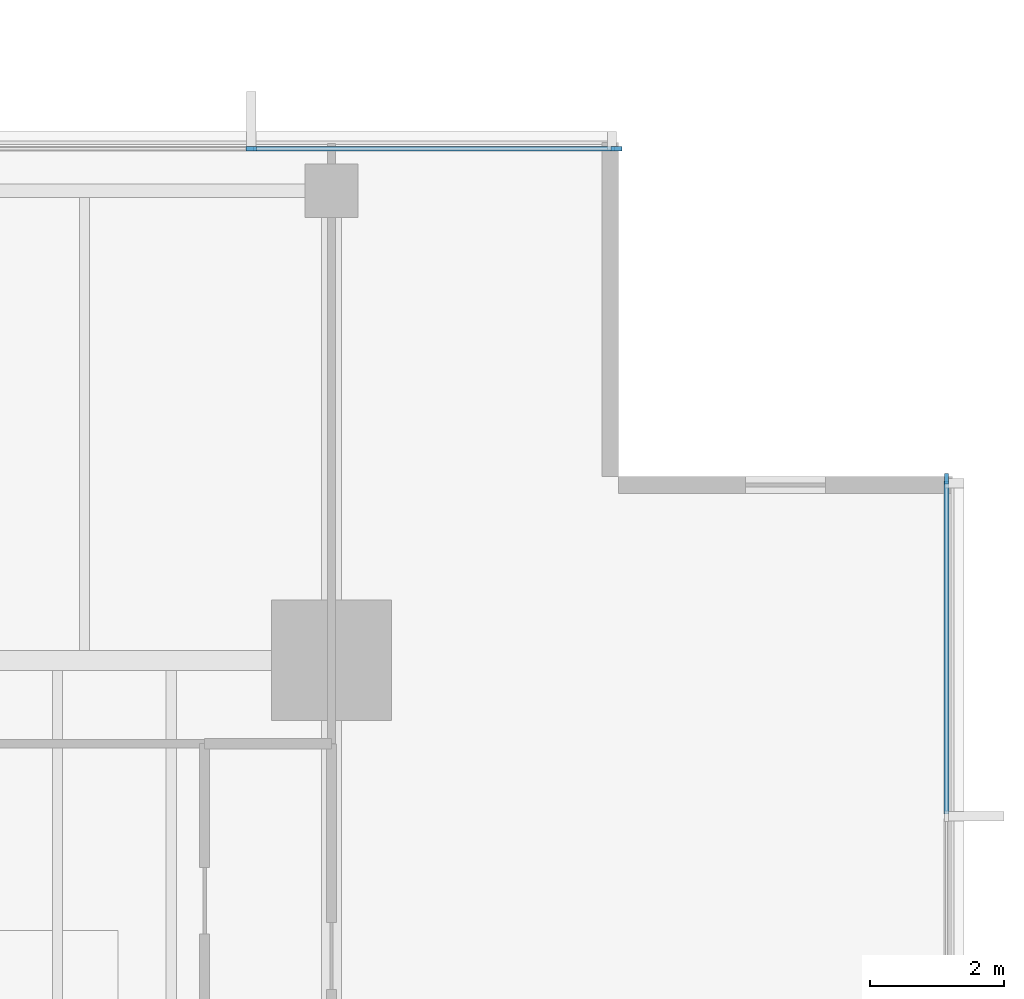
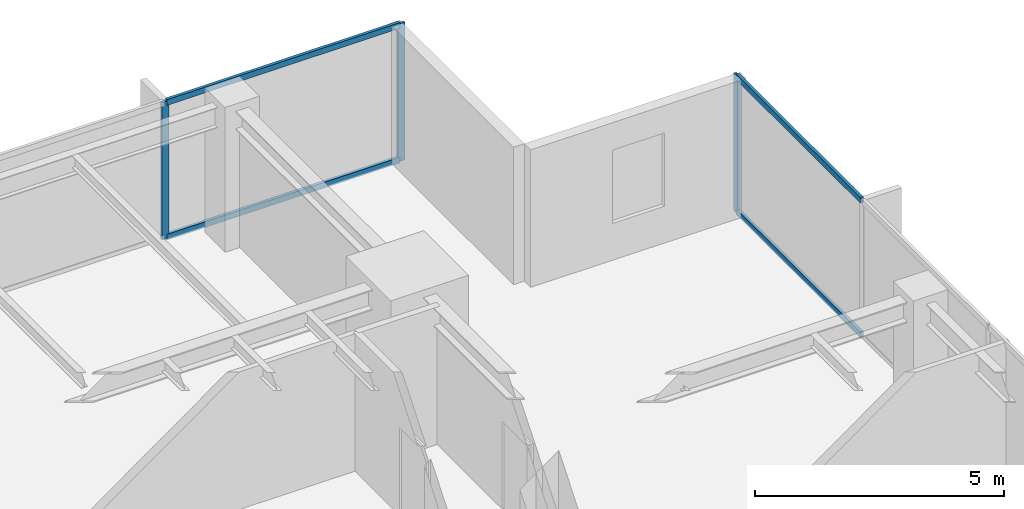
# One storey, part 6 of 14: 7 members, 2 elements without a shape of their own.
"""IFC4 building model written with IfcOpenShell, lengths in metres."""

from ifc_helpers import new_model, si_unit, direction, frame, origin, origin_2d, place, context, subcontext, project, spatial, rectangle, extrude, material, layer, layer_set, material_profile, profile_set, type_object, element, aggregate, save


model = new_model("IFC4")

# Units and contexts
model_context = context("Model", 3, precision=1e-05, world=origin(), true_north=direction((0.0, 1.0)))
body_context = subcontext(model_context, "Body", "Model", "MODEL_VIEW")
ifc_project = project(units=[si_unit("LENGTHUNIT", "METRE"), si_unit("AREAUNIT", "SQUARE_METRE"), si_unit("VOLUMEUNIT", "CUBIC_METRE"), si_unit("PLANEANGLEUNIT", "RADIAN"), si_unit("MASSUNIT", "GRAM", prefix="KILO")], contexts=[model_context])

# Site, building, storey
site_placement = place(None, origin())
site = spatial("IfcSite", under=ifc_project, at=site_placement, CompositionType="ELEMENT")
building_placement = place(site_placement, origin())
building = spatial("IfcBuilding", under=site, at=building_placement, Name="Kinhvarn Gate Tower", CompositionType="ELEMENT")
storey_placement = place(building_placement, frame((0.0, 0.0, 205.800048828125)))
storey = spatial("IfcBuildingStorey", under=building, at=storey_placement, Name="L54", CompositionType="ELEMENT", Elevation=205.800048828125)

# Curtain wall, members
ifc_material = material(Name="Anodised aluminium AW-6063", Category="aluminium")
ifc_layer = layer(ifc_material, 0.179931640625)
ifc_layer_set = layer_set([ifc_layer], Name="Anodised aluminium AW-6063")
curtain_wall_type = type_object("IfcCurtainWallType", Name="CW-SYS-3", PredefinedType="NOTDEFINED", material=ifc_layer_set)
curtain_wall_1_placement = place(storey_placement, origin())
curtain_wall_1 = element("IfcCurtainWall", 1, at=curtain_wall_1_placement, inside=storey, type_object=curtain_wall_type, Name="Curtain Wall CW3 (L54)", PredefinedType="NOTDEFINED")
ifc_material_profile_1 = material_profile(ifc_material, rectangle(XDim=0.06494140625, YDim=0.159912109375, at=origin_2d()), Name="ALU 65x160")
ifc_profile_set_1 = profile_set([ifc_material_profile_1], Name="Anodised aluminium AW-6063")
member_type_1 = type_object("IfcMemberType", Name="CW-MUL-160", PredefinedType="MULLION", material=ifc_profile_set_1)
member_1_placement = place(storey_placement, frame((42.467529296875, 45.409912109375, 0.0), z_axis=(0.0, 0.0, 1.0), x_axis=(0.0, -1.0, 0.0)))
member_1 = element("IfcMember", 2, at=member_1_placement, type_object=member_type_1, Name="CW3 mullion 1", PredefinedType="MULLION", context=body_context, shape_type="SweptSolid", body=[
    extrude(rectangle(XDim=0.06494140625, YDim=0.159912109375, at=origin_2d()), origin(), (0.0, 0.0, 1.0), 3.369873046875),
])
member_2_placement = place(storey_placement, frame((37.0, 45.409912109375, 0.0), z_axis=(0.0, 0.0, 1.0), x_axis=(0.0, -1.0, 0.0)))
member_2 = element("IfcMember", 3, at=member_2_placement, type_object=member_type_1, Name="CW3 mullion 2", PredefinedType="MULLION", context=body_context, shape_type="SweptSolid", body=[
    extrude(rectangle(XDim=0.06494140625, YDim=0.159912109375, at=origin_2d()), origin(), (0.0, 0.0, 1.0), 3.369873046875),
])

# Curtain wall, member
curtain_wall_2_placement = place(storey_placement, origin())
curtain_wall_2 = element("IfcCurtainWall", 4, at=curtain_wall_2_placement, inside=storey, type_object=curtain_wall_type, Name="Curtain Wall CW3 (L54)", PredefinedType="NOTDEFINED")
member_3_placement = place(storey_placement, frame((47.409912109375, 40.467529296875, 0.0), z_axis=(0.0, 0.0, 1.0), x_axis=(-1.0, 0.0, 0.0)))
member_3 = element("IfcMember", 5, at=member_3_placement, type_object=member_type_1, Name="CW3 mullion 7", PredefinedType="MULLION", context=body_context, shape_type="SweptSolid", body=[
    extrude(rectangle(XDim=0.06494140625, YDim=0.159912109375, at=origin_2d()), origin(), (0.0, 0.0, 1.0), 3.369873046875),
])

# Member
ifc_material_profile_2 = material_profile(ifc_material, rectangle(XDim=0.070068359375, YDim=0.139892578125, at=origin_2d()), Name="ALU 70x140")
ifc_profile_set_2 = profile_set([ifc_material_profile_2], Name="Anodised aluminium AW-6063")
member_type_2 = type_object("IfcMemberType", Name="CW-TRN-140", PredefinedType="USERDEFINED", material=ifc_profile_set_2)
member_4_placement = place(storey_placement, frame((42.43505859375, 45.409912109375, 0.034912109375), z_axis=(-1.0, 0.0, 0.0), x_axis=(0.0, -1.0, 0.0)))
member_4 = element("IfcMember", 6, at=member_4_placement, type_object=member_type_2, Name="CW3 transom 1.1", ObjectType="TRANSOM", PredefinedType="USERDEFINED", context=body_context, shape_type="SweptSolid", body=[
    extrude(rectangle(XDim=0.070068359375, YDim=0.139892578125, at=origin_2d()), origin(), (0.0, 0.0, 1.0), 5.402587890625),
])

member_5_placement = place(storey_placement, frame((42.43505859375, 45.409912109375, 3.3349609375), z_axis=(-1.0, 0.0, 0.0), x_axis=(0.0, -1.0, 0.0)))
member_5 = element("IfcMember", 7, at=member_5_placement, type_object=member_type_2, Name="CW3 transom 1.2", ObjectType="TRANSOM", PredefinedType="USERDEFINED", context=body_context, shape_type="SweptSolid", body=[
    extrude(rectangle(XDim=0.070068359375, YDim=0.139892578125, at=origin_2d()), origin(), (0.0, 0.0, 1.0), 5.402587890625),
])

aggregate(curtain_wall_1, [member_1, member_2, member_4, member_5])

member_6_placement = place(storey_placement, frame((47.409912109375, 35.44921875, 0.034912109375), z_axis=(0.0, 1.0, 0.0), x_axis=(-1.0, 0.0, 0.0)))
member_6 = element("IfcMember", 8, at=member_6_placement, type_object=member_type_2, Name="CW3 transom 6.1", ObjectType="TRANSOM", PredefinedType="USERDEFINED", context=body_context, shape_type="SweptSolid", body=[
    extrude(rectangle(XDim=0.070068359375, YDim=0.139892578125, at=origin_2d()), origin(), (0.0, 0.0, 1.0), 4.98583984375),
])

member_7_placement = place(storey_placement, frame((47.409912109375, 35.44921875, 3.3349609375), z_axis=(0.0, 1.0, 0.0), x_axis=(-1.0, 0.0, 0.0)))
member_7 = element("IfcMember", 9, at=member_7_placement, type_object=member_type_2, Name="CW3 transom 6.2", ObjectType="TRANSOM", PredefinedType="USERDEFINED", context=body_context, shape_type="SweptSolid", body=[
    extrude(rectangle(XDim=0.070068359375, YDim=0.139892578125, at=origin_2d()), origin(), (0.0, 0.0, 1.0), 4.98583984375),
])

aggregate(curtain_wall_2, [member_3, member_6, member_7])

save(model, "model.ifc")
